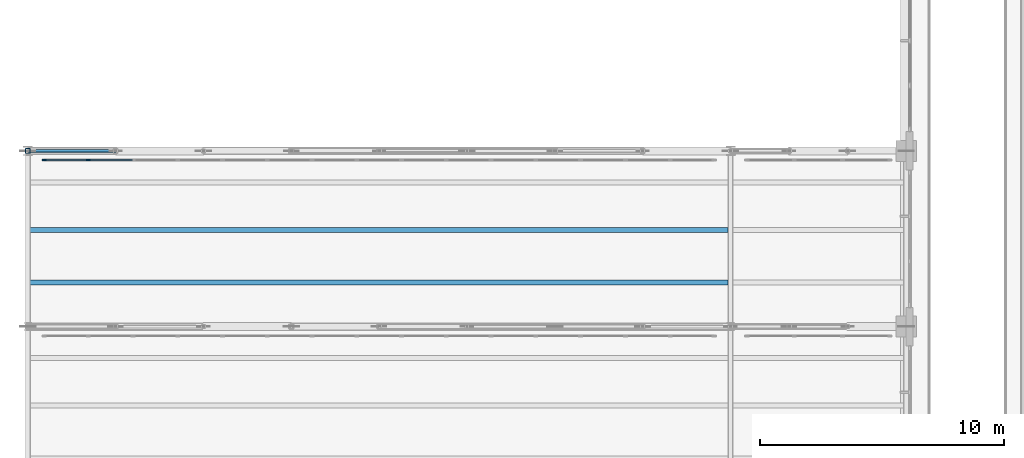
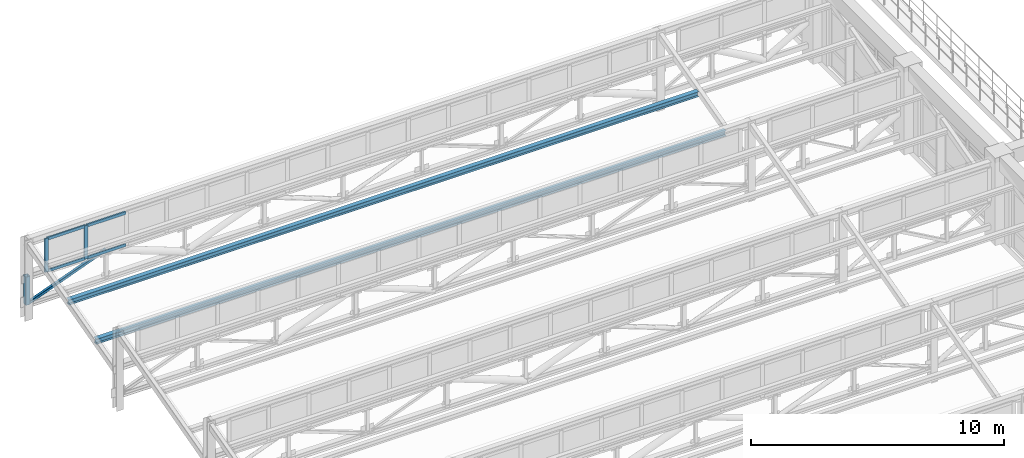
# One storey, part 31 of 98: 8 members, 2 beams, 1 element without a shape of its own.
"""IFC4 building model written with IfcOpenShell, lengths in metres."""

from ifc_helpers import new_model, si_unit, direction, frame, origin, origin_2d, place, context, subcontext, project, spatial, rectangle, hollow_rectangle, i_section, extrude, material, layer, layer_set, material_profile, profile_set, type_object, element, aggregate, save


model = new_model("IFC4")

# Units and contexts
model_context = context("Model", 3, precision=1e-05, world=origin(), true_north=direction((0.0, 1.0)))
body_context = subcontext(model_context, "Body", "Model", "MODEL_VIEW")
ifc_project = project(units=[si_unit("LENGTHUNIT", "METRE"), si_unit("AREAUNIT", "SQUARE_METRE"), si_unit("VOLUMEUNIT", "CUBIC_METRE"), si_unit("PLANEANGLEUNIT", "RADIAN"), si_unit("MASSUNIT", "GRAM", prefix="KILO")], contexts=[model_context])

# Site, building, storey
site_placement = place(None, origin())
site = spatial("IfcSite", under=ifc_project, at=site_placement, CompositionType="ELEMENT")
building_placement = place(site_placement, origin())
building = spatial("IfcBuilding", under=site, at=building_placement, Name="Solenvale Faculty of Natural Sciences", CompositionType="ELEMENT")
storey_placement = place(building_placement, frame((0.0, 0.0, 9.0)))
storey = spatial("IfcBuildingStorey", under=building, at=storey_placement, Name="L02", CompositionType="ELEMENT", Elevation=9.0)

# Beams
ifc_material_1 = material(Name="Steel S355", Category="steel")
ifc_material_profile_1 = material_profile(ifc_material_1, i_section(OverallWidth=0.202880859375, OverallDepth=0.251953125, WebThickness=0.008056640625, FlangeThickness=0.013427734375, FilletRadius=0.012939453125, at=origin_2d()), Name="W250x58")
ifc_profile_set_1 = profile_set([ifc_material_profile_1], Name="Steel S355")
beam_type = type_object("IfcBeamType", Name="BM-PRL-W250x58", PredefinedType="JOIST", material=ifc_profile_set_1)
for number, where, z_axis, x_axis, name in (
    (1, (0.0, 37.800048828125, 2.17919921875), (1.0, 0.0, 0.0), (0.0, 1.0, 0.0), "V1 Sawtooth Purlin 6.1.1"),
    (2, (0.0, 39.9599609375, 2.75830078125), (1.0, 0.0, 0.0), (0.0, 1.0, 0.0), "V1 Sawtooth Purlin 6.1.2"),
):
    element("IfcBeam", number, at=place(storey_placement, frame(where, z_axis=z_axis, x_axis=x_axis)), inside=storey, type_object=beam_type, Name=name, PredefinedType="JOIST", context=body_context, shape_type="SweptSolid", body=[
        extrude(i_section(OverallWidth=0.202880859375, OverallDepth=0.251953125, WebThickness=0.008056640625, FlangeThickness=0.013427734375, FilletRadius=0.012939453125, at=origin_2d()), origin(), (0.0, 0.0, 1.0), 28.7041015625),
    ])

# Curtain wall, members
ifc_material_2 = material(Name="Anodised bronze aluminium", Category="aluminium")
ifc_layer = layer(ifc_material_2, 0.1650390625)
ifc_layer_set = layer_set([ifc_layer], Name="Anodised bronze aluminium")
curtain_wall_type = type_object("IfcCurtainWallType", Name="CW-SAW-CLR", PredefinedType="USERDEFINED", material=ifc_layer_set)
curtain_wall_placement = place(storey_placement, origin())
curtain_wall = element("IfcCurtainWall", 3, at=curtain_wall_placement, inside=storey, type_object=curtain_wall_type, Name="L02 Curtain Wall SAW-V1-CW-6-1", ObjectType="NORTH LIGHT CLERESTORY", PredefinedType="USERDEFINED")
ifc_material_profile_2 = material_profile(ifc_material_2, rectangle(XDim=0.06494140625, YDim=0.175048828125, at=origin_2d()), Name="ALU-MUL-65x175")
ifc_profile_set_2 = profile_set([ifc_material_profile_2], Name="Anodised bronze aluminium")
member_type_1 = type_object("IfcMemberType", Name="CWM-ALU-65x175", PredefinedType="MULLION", material=ifc_profile_set_2)
member_1_placement = place(storey_placement, frame((2.474609375, 42.820068359375, 2.22998046875), z_axis=(0.0, 0.0, 1.0), x_axis=(0.0, -1.0, 0.0)))
member_1 = element("IfcMember", 4, at=member_1_placement, type_object=member_type_1, Name="CW-05 mullion 15", PredefinedType="MULLION", context=body_context, shape_type="SweptSolid", body=[
    extrude(rectangle(XDim=0.06494140625, YDim=0.175048828125, at=origin_2d()), origin(), (0.0, 0.0, 1.0), 1.610107421875),
])
member_2_placement = place(storey_placement, frame((0.672607421875, 42.820068359375, 2.22998046875), z_axis=(0.0, 0.0, 1.0), x_axis=(0.0, -1.0, 0.0)))
member_2 = element("IfcMember", 5, at=member_2_placement, type_object=member_type_1, Name="CW-05 mullion 16", PredefinedType="MULLION", context=body_context, shape_type="SweptSolid", body=[
    extrude(rectangle(XDim=0.06494140625, YDim=0.175048828125, at=origin_2d()), origin(), (0.0, 0.0, 1.0), 1.610107421875),
])
ifc_material_profile_3 = material_profile(ifc_material_2, rectangle(XDim=0.06494140625, YDim=0.135009765625, at=origin_2d()), Name="ALU-TRN-65x135")
ifc_profile_set_3 = profile_set([ifc_material_profile_3], Name="Anodised bronze aluminium")
member_type_2 = type_object("IfcMemberType", Name="CWT-ALU-65x135", PredefinedType="USERDEFINED", material=ifc_profile_set_3)
member_3_placement = place(storey_placement, frame((4.27685546875, 42.820068359375, 2.262451171875), z_axis=(-1.0, 0.0, 0.0), x_axis=(0.0, -1.0, 0.0)))
member_3 = element("IfcMember", 6, at=member_3_placement, type_object=member_type_2, Name="CW-05 transom 14.1", ObjectType="TRANSOM", PredefinedType="USERDEFINED", context=body_context, shape_type="SweptSolid", body=[
    extrude(rectangle(XDim=0.06494140625, YDim=0.135009765625, at=origin_2d()), origin(), (0.0, 0.0, 1.0), 1.769775390625),
])
member_4_placement = place(storey_placement, frame((4.27685546875, 42.820068359375, 3.8076171875), z_axis=(-1.0, 0.0, 0.0), x_axis=(0.0, -1.0, 0.0)))
member_4 = element("IfcMember", 7, at=member_4_placement, type_object=member_type_2, Name="CW-05 transom 14.2", ObjectType="TRANSOM", PredefinedType="USERDEFINED", context=body_context, shape_type="SweptSolid", body=[
    extrude(rectangle(XDim=0.06494140625, YDim=0.135009765625, at=origin_2d()), origin(), (0.0, 0.0, 1.0), 1.769775390625),
])
member_5_placement = place(storey_placement, frame((2.442138671875, 42.820068359375, 2.262451171875), z_axis=(-1.0, 0.0, 0.0), x_axis=(0.0, -1.0, 0.0)))
member_5 = element("IfcMember", 8, at=member_5_placement, type_object=member_type_2, Name="CW-05 transom 15.1", ObjectType="TRANSOM", PredefinedType="USERDEFINED", context=body_context, shape_type="SweptSolid", body=[
    extrude(rectangle(XDim=0.06494140625, YDim=0.135009765625, at=origin_2d()), origin(), (0.0, 0.0, 1.0), 1.737060546875),
])
member_6_placement = place(storey_placement, frame((2.442138671875, 42.820068359375, 3.8076171875), z_axis=(-1.0, 0.0, 0.0), x_axis=(0.0, -1.0, 0.0)))
member_6 = element("IfcMember", 9, at=member_6_placement, type_object=member_type_2, Name="CW-05 transom 15.2", ObjectType="TRANSOM", PredefinedType="USERDEFINED", context=body_context, shape_type="SweptSolid", body=[
    extrude(rectangle(XDim=0.06494140625, YDim=0.135009765625, at=origin_2d()), origin(), (0.0, 0.0, 1.0), 1.737060546875),
])
aggregate(curtain_wall, [member_1, member_2, member_3, member_4, member_5, member_6])

# Members
ifc_material_profile_4 = material_profile(ifc_material_1, hollow_rectangle(XDim=0.126953125, YDim=0.126953125, WallThickness=0.008056640625, InnerFilletRadius=0.008056640625, OuterFilletRadius=0.01611328125, at=origin_2d()), Name="HSS127x127x8.0")
ifc_profile_set_4 = profile_set([ifc_material_profile_4], Name="Steel S355")
member_type_3 = type_object("IfcMemberType", Name="MB-BRC-HSS127", PredefinedType="BRACE", material=ifc_profile_set_4)
member_7_placement = place(storey_placement, frame((0.0, 43.199951171875, 0.68994140625), z_axis=(0.935466034784, 0.0, 0.353416606522), x_axis=(0.0, 1.0, 0.0)))
element("IfcMember", 10, at=member_7_placement, inside=storey, type_object=member_type_3, Name="V1 Truss 6.1 Diagonal 1", PredefinedType="BRACE", context=body_context, shape_type="SweptSolid", body=[
    extrude(hollow_rectangle(XDim=0.126953125, YDim=0.126953125, WallThickness=0.008056640625, InnerFilletRadius=0.008056640625, OuterFilletRadius=0.01611328125, at=origin_2d()), origin(), (0.0, 0.0, 1.0), 3.848388671875),
])
ifc_material_profile_5 = material_profile(ifc_material_1, hollow_rectangle(XDim=0.202880859375, YDim=0.202880859375, WallThickness=0.0126953125, InnerFilletRadius=0.0126953125, OuterFilletRadius=0.025390625, at=origin_2d()), Name="HSS203x203x13")
ifc_profile_set_5 = profile_set([ifc_material_profile_5], Name="Steel S355")
member_type_4 = type_object("IfcMemberType", Name="MB-STR-HSS203", PredefinedType="STRUT", material=ifc_profile_set_5)
member_8_placement = place(storey_placement, frame((0.0, 43.199951171875, 0.68994140625), z_axis=(0.0, 0.0, 1.0), x_axis=(1.0, 0.0, 0.0)))
element("IfcMember", 11, at=member_8_placement, inside=storey, type_object=member_type_4, Name="V1 Truss 6.1 Strut 0", PredefinedType="STRUT", context=body_context, shape_type="SweptSolid", body=[
    extrude(hollow_rectangle(XDim=0.202880859375, YDim=0.202880859375, WallThickness=0.0126953125, InnerFilletRadius=0.0126953125, OuterFilletRadius=0.025390625, at=origin_2d()), origin(), (0.0, 0.0, 1.0), 1.360107421875),
])

save(model, "model.ifc")
